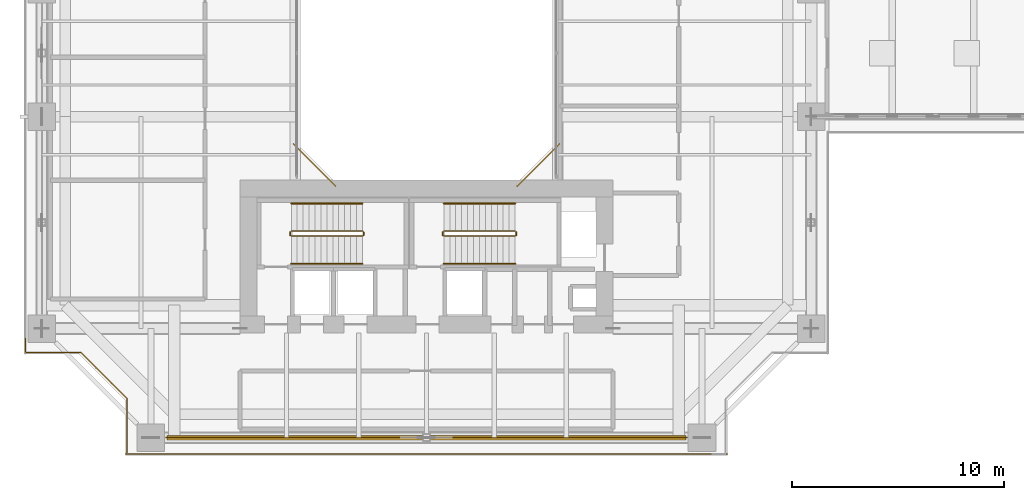
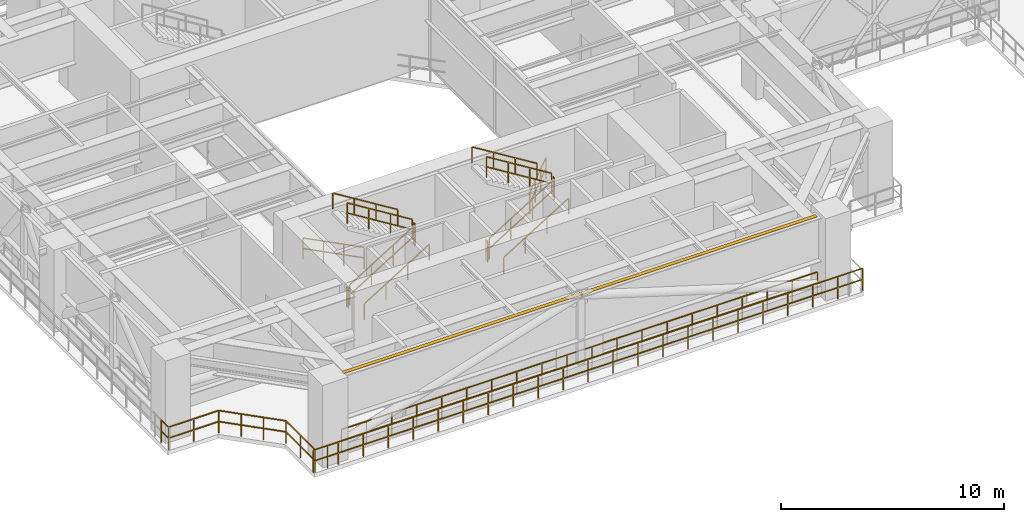
# One storey, part 21 of 25: 17 railings, 1 shading device.
"""IFC4 building model written with IfcOpenShell, lengths in metres."""

from ifc_helpers import new_model, si_unit, direction, frame, origin, origin_2d, place, context, subcontext, project, spatial, rectangle, extrude, source, transform, mapped, material, material_profile, profile_set, type_object, element, save


model = new_model("IFC4")

# Units and contexts
model_context = context("Model", 3, precision=1e-05, world=origin(), true_north=direction((0.0, 1.0)))
body_context = subcontext(model_context, "Body", "Model", "MODEL_VIEW")
ifc_project = project(units=[si_unit("LENGTHUNIT", "METRE"), si_unit("AREAUNIT", "SQUARE_METRE"), si_unit("VOLUMEUNIT", "CUBIC_METRE"), si_unit("PLANEANGLEUNIT", "RADIAN"), si_unit("MASSUNIT", "GRAM", prefix="KILO"), si_unit("THERMODYNAMICTEMPERATUREUNIT", "KELVIN"), si_unit("POWERUNIT", "WATT")], contexts=[model_context])

# Site, building, storey
site_placement = place(None, origin())
site = spatial("IfcSite", under=ifc_project, at=site_placement, CompositionType="ELEMENT")
building_placement = place(site_placement, origin())
building = spatial("IfcBuilding", under=site, at=building_placement, Name="Qiaomeng Ring Towers", CompositionType="ELEMENT")
storey_placement = place(building_placement, frame((0.0, 0.0, 92.5)))
storey = spatial("IfcBuildingStorey", under=building, at=storey_placement, Name="L26", CompositionType="ELEMENT", Elevation=92.5)

# Railings
ifc_material_1 = material(Name="Low-E pale-green laminated safety glass", Category="glass")
railing_type_1 = type_object("IfcRailingType", Name="ARC-RL-BAL1", PredefinedType="BALUSTRADE", material=ifc_material_1)
railing_1_placement = place(storey_placement, frame((23.280029296875, 16.719970703125, 0.0)))
element("IfcRailing", 1, at=railing_1_placement, inside=storey, type_object=railing_type_1, Name="L26 Balustrade ARC-BAL-WELL1-L26-1", PredefinedType="BALUSTRADE", context=body_context, shape_type="SweptSolid", body=[
    extrude(rectangle(XDim=0.048095703125, YDim=0.048095703125, at=origin_2d()), frame((0.0, 0.0, 1.17578125), z_axis=(0.707106781187, 0.707106781187, 0.0), x_axis=(-0.707106781187, 0.707106781187, 0.0)), (0.0, 0.0, 1.0), 2.828369140625),
    extrude(rectangle(XDim=0.048095703125, YDim=0.048095703125, at=origin_2d()), frame((0.0, 0.0, 0.60009765625), z_axis=(0.707106781187, 0.707106781187, 0.0), x_axis=(-0.707106781187, 0.707106781187, 0.0)), (0.0, 0.0, 1.0), 2.828369140625),
    extrude(rectangle(XDim=0.0419921875, YDim=0.0419921875, at=origin_2d()), origin(), (0.0, 0.0, 1.0), 1.15185546875),
    extrude(rectangle(XDim=0.0419921875, YDim=0.0419921875, at=origin_2d()), frame((0.666748046875, 0.666748046875, 0.0)), (0.0, 0.0, 1.0), 1.15185546875),
    extrude(rectangle(XDim=0.0419921875, YDim=0.0419921875, at=origin_2d()), frame((1.333251953125, 1.333251953125, 0.0)), (0.0, 0.0, 1.0), 1.15185546875),
    extrude(rectangle(XDim=0.0419921875, YDim=0.0419921875, at=origin_2d()), frame((2.0, 2.0, 0.0)), (0.0, 0.0, 1.0), 1.15185546875),
])
railing_2_placement = place(storey_placement, frame((12.719970703125, 18.719970703125, 0.0)))
element("IfcRailing", 2, at=railing_2_placement, inside=storey, type_object=railing_type_1, Name="L26 Balustrade ARC-BAL-WELL1-L26-4", PredefinedType="BALUSTRADE", context=body_context, shape_type="SweptSolid", body=[
    extrude(rectangle(XDim=0.048095703125, YDim=0.048095703125, at=origin_2d()), frame((0.0, 0.0, 1.17578125), z_axis=(0.707106781187, -0.707106781187, 0.0), x_axis=(0.707106781187, 0.707106781187, 0.0)), (0.0, 0.0, 1.0), 2.828369140625),
    extrude(rectangle(XDim=0.048095703125, YDim=0.048095703125, at=origin_2d()), frame((0.0, 0.0, 0.60009765625), z_axis=(0.707106781187, -0.707106781187, 0.0), x_axis=(0.707106781187, 0.707106781187, 0.0)), (0.0, 0.0, 1.0), 2.828369140625),
    extrude(rectangle(XDim=0.0419921875, YDim=0.0419921875, at=origin_2d()), origin(), (0.0, 0.0, 1.0), 1.15185546875),
    extrude(rectangle(XDim=0.0419921875, YDim=0.0419921875, at=origin_2d()), frame((0.666748046875, -0.666748046875, 0.0)), (0.0, 0.0, 1.0), 1.15185546875),
    extrude(rectangle(XDim=0.0419921875, YDim=0.0419921875, at=origin_2d()), frame((1.333251953125, -1.333251953125, 0.0)), (0.0, 0.0, 1.0), 1.15185546875),
    extrude(rectangle(XDim=0.0419921875, YDim=0.0419921875, at=origin_2d()), frame((2.0, -2.0, 0.0)), (0.0, 0.0, 1.0), 1.15185546875),
])
ifc_material_2 = material(Name="Stainless steel 316", Category="steel")
railing_type_2 = type_object("IfcRailingType", Name="ARC-RL-BAL2", PredefinedType="BALUSTRADE", material=ifc_material_2)
railing_3_placement = place(storey_placement, frame((6.699951171875, 4.85009765625, 0.0)))
element("IfcRailing", 3, at=railing_3_placement, inside=storey, type_object=railing_type_2, Name="L26 Open Refuge Band Perimeter Guard S", PredefinedType="BALUSTRADE", context=body_context, shape_type="SweptSolid", body=[
    extrude(rectangle(XDim=0.048095703125, YDim=0.048095703125, at=origin_2d()), frame((0.0, 0.0, 1.22607421875), z_axis=(1.0, 0.0, 0.0), x_axis=(0.0, 1.0, 0.0)), (0.0, 0.0, 1.0), 24.60009765625),
    extrude(rectangle(XDim=0.048095703125, YDim=0.048095703125, at=origin_2d()), frame((0.0, 0.0, 0.625), z_axis=(1.0, 0.0, 0.0), x_axis=(0.0, 1.0, 0.0)), (0.0, 0.0, 1.0), 24.60009765625),
    extrude(rectangle(XDim=0.0419921875, YDim=0.0419921875, at=origin_2d()), origin(), (0.0, 0.0, 1.0), 1.201904296875),
    extrude(rectangle(XDim=0.0419921875, YDim=0.0419921875, at=origin_2d()), frame((1.294677734375, 0.0, 0.0)), (0.0, 0.0, 1.0), 1.201904296875),
    extrude(rectangle(XDim=0.0419921875, YDim=0.0419921875, at=origin_2d()), frame((2.589599609375, 0.0, 0.0)), (0.0, 0.0, 1.0), 1.201904296875),
    extrude(rectangle(XDim=0.0419921875, YDim=0.0419921875, at=origin_2d()), frame((3.88427734375, 0.0, 0.0)), (0.0, 0.0, 1.0), 1.201904296875),
    extrude(rectangle(XDim=0.0419921875, YDim=0.0419921875, at=origin_2d()), frame((5.178955078125, 0.0, 0.0)), (0.0, 0.0, 1.0), 1.201904296875),
    extrude(rectangle(XDim=0.0419921875, YDim=0.0419921875, at=origin_2d()), frame((6.4736328125, 0.0, 0.0)), (0.0, 0.0, 1.0), 1.201904296875),
    extrude(rectangle(XDim=0.0419921875, YDim=0.0419921875, at=origin_2d()), frame((7.7685546875, 0.0, 0.0)), (0.0, 0.0, 1.0), 1.201904296875),
    extrude(rectangle(XDim=0.0419921875, YDim=0.0419921875, at=origin_2d()), frame((9.063232421875, 0.0, 0.0)), (0.0, 0.0, 1.0), 1.201904296875),
    extrude(rectangle(XDim=0.0419921875, YDim=0.0419921875, at=origin_2d()), frame((10.35791015625, 0.0, 0.0)), (0.0, 0.0, 1.0), 1.201904296875),
    extrude(rectangle(XDim=0.0419921875, YDim=0.0419921875, at=origin_2d()), frame((11.652587890625, 0.0, 0.0)), (0.0, 0.0, 1.0), 1.201904296875),
    extrude(rectangle(XDim=0.0419921875, YDim=0.0419921875, at=origin_2d()), frame((12.947509765625, 0.0, 0.0)), (0.0, 0.0, 1.0), 1.201904296875),
    extrude(rectangle(XDim=0.0419921875, YDim=0.0419921875, at=origin_2d()), frame((14.2421875, 0.0, 0.0)), (0.0, 0.0, 1.0), 1.201904296875),
    extrude(rectangle(XDim=0.0419921875, YDim=0.0419921875, at=origin_2d()), frame((15.536865234375, 0.0, 0.0)), (0.0, 0.0, 1.0), 1.201904296875),
    extrude(rectangle(XDim=0.0419921875, YDim=0.0419921875, at=origin_2d()), frame((16.83154296875, 0.0, 0.0)), (0.0, 0.0, 1.0), 1.201904296875),
    extrude(rectangle(XDim=0.0419921875, YDim=0.0419921875, at=origin_2d()), frame((18.12646484375, 0.0, 0.0)), (0.0, 0.0, 1.0), 1.201904296875),
    extrude(rectangle(XDim=0.0419921875, YDim=0.0419921875, at=origin_2d()), frame((19.421142578125, 0.0, 0.0)), (0.0, 0.0, 1.0), 1.201904296875),
    extrude(rectangle(XDim=0.0419921875, YDim=0.0419921875, at=origin_2d()), frame((20.7158203125, 0.0, 0.0)), (0.0, 0.0, 1.0), 1.201904296875),
    extrude(rectangle(XDim=0.0419921875, YDim=0.0419921875, at=origin_2d()), frame((22.010498046875, 0.0, 0.0)), (0.0, 0.0, 1.0), 1.201904296875),
    extrude(rectangle(XDim=0.0419921875, YDim=0.0419921875, at=origin_2d()), frame((23.305419921875, 0.0, 0.0)), (0.0, 0.0, 1.0), 1.201904296875),
    extrude(rectangle(XDim=0.0419921875, YDim=0.0419921875, at=origin_2d()), frame((24.60009765625, 0.0, 0.0)), (0.0, 0.0, 1.0), 1.201904296875),
])
railing_4_placement = place(storey_placement, frame((0.080078125, 9.530029296875, 0.0)))
element("IfcRailing", 4, at=railing_4_placement, inside=storey, type_object=railing_type_2, Name="L26 Balustrade ARC-BAL-REF-CNR-L26-SW", PredefinedType="BALUSTRADE", context=body_context, shape_type="SweptSolid", body=[
    extrude(rectangle(XDim=0.048095703125, YDim=0.048095703125, at=origin_2d()), frame((0.0, 0.0, 1.22607421875), z_axis=(0.0, -1.0, 0.0), x_axis=(1.0, 0.0, 0.0)), (0.0, 0.0, 1.0), 0.650146484375),
    extrude(rectangle(XDim=0.048095703125, YDim=0.048095703125, at=origin_2d()), frame((0.0, 0.0, 0.625), z_axis=(0.0, -1.0, 0.0), x_axis=(1.0, 0.0, 0.0)), (0.0, 0.0, 1.0), 0.650146484375),
    extrude(rectangle(XDim=0.048095703125, YDim=0.048095703125, at=origin_2d()), frame((0.0, -0.650146484375, 1.22607421875), z_axis=(1.0, 0.0, 0.0), x_axis=(0.0, 1.0, 0.0)), (0.0, 0.0, 1.0), 2.599853515625),
    extrude(rectangle(XDim=0.048095703125, YDim=0.048095703125, at=origin_2d()), frame((0.0, -0.650146484375, 0.625), z_axis=(1.0, 0.0, 0.0), x_axis=(0.0, 1.0, 0.0)), (0.0, 0.0, 1.0), 2.599853515625),
    extrude(rectangle(XDim=0.048095703125, YDim=0.048095703125, at=origin_2d()), frame((2.599853515625, -0.650146484375, 1.22607421875), z_axis=(0.707106781187, -0.707106781187, 0.0), x_axis=(0.707106781187, 0.707106781187, 0.0)), (0.0, 0.0, 1.0), 3.111083984375),
    extrude(rectangle(XDim=0.048095703125, YDim=0.048095703125, at=origin_2d()), frame((2.599853515625, -0.650146484375, 0.625), z_axis=(0.707106781187, -0.707106781187, 0.0), x_axis=(0.707106781187, 0.707106781187, 0.0)), (0.0, 0.0, 1.0), 3.111083984375),
    extrude(rectangle(XDim=0.048095703125, YDim=0.048095703125, at=origin_2d()), frame((4.7998046875, -2.85009765625, 1.22607421875), z_axis=(0.0, -1.0, 0.0), x_axis=(1.0, 0.0, 0.0)), (0.0, 0.0, 1.0), 2.599853515625),
    extrude(rectangle(XDim=0.048095703125, YDim=0.048095703125, at=origin_2d()), frame((4.7998046875, -2.85009765625, 0.625), z_axis=(0.0, -1.0, 0.0), x_axis=(1.0, 0.0, 0.0)), (0.0, 0.0, 1.0), 2.599853515625),
    extrude(rectangle(XDim=0.048095703125, YDim=0.048095703125, at=origin_2d()), frame((4.7998046875, -5.449951171875, 1.22607421875), z_axis=(1.0, 0.0, 0.0), x_axis=(0.0, 1.0, 0.0)), (0.0, 0.0, 1.0), 0.650146484375),
    extrude(rectangle(XDim=0.048095703125, YDim=0.048095703125, at=origin_2d()), frame((4.7998046875, -5.449951171875, 0.625), z_axis=(1.0, 0.0, 0.0), x_axis=(0.0, 1.0, 0.0)), (0.0, 0.0, 1.0), 0.650146484375),
    extrude(rectangle(XDim=0.0419921875, YDim=0.0419921875, at=origin_2d()), origin(), (0.0, 0.0, 1.0), 1.201904296875),
    extrude(rectangle(XDim=0.0419921875, YDim=0.0419921875, at=origin_2d()), frame((0.0, -0.650146484375, 0.0)), (0.0, 0.0, 1.0), 1.201904296875),
    extrude(rectangle(XDim=0.0419921875, YDim=0.0419921875, at=origin_2d()), frame((1.2998046875, -0.650146484375, 0.0)), (0.0, 0.0, 1.0), 1.201904296875),
    extrude(rectangle(XDim=0.0419921875, YDim=0.0419921875, at=origin_2d()), frame((2.599853515625, -0.650146484375, 0.0)), (0.0, 0.0, 1.0), 1.201904296875),
    extrude(rectangle(XDim=0.0419921875, YDim=0.0419921875, at=origin_2d()), frame((3.333251953125, -1.383544921875, 0.0)), (0.0, 0.0, 1.0), 1.201904296875),
    extrude(rectangle(XDim=0.0419921875, YDim=0.0419921875, at=origin_2d()), frame((4.06640625, -2.11669921875, 0.0)), (0.0, 0.0, 1.0), 1.201904296875),
    extrude(rectangle(XDim=0.0419921875, YDim=0.0419921875, at=origin_2d()), frame((4.7998046875, -2.85009765625, 0.0)), (0.0, 0.0, 1.0), 1.201904296875),
    extrude(rectangle(XDim=0.0419921875, YDim=0.0419921875, at=origin_2d()), frame((4.7998046875, -4.14990234375, 0.0)), (0.0, 0.0, 1.0), 1.201904296875),
    extrude(rectangle(XDim=0.0419921875, YDim=0.0419921875, at=origin_2d()), frame((4.7998046875, -5.449951171875, 0.0)), (0.0, 0.0, 1.0), 1.201904296875),
    extrude(rectangle(XDim=0.0419921875, YDim=0.0419921875, at=origin_2d()), frame((5.449951171875, -5.449951171875, 0.0)), (0.0, 0.0, 1.0), 1.201904296875),
])
railing_5_placement = place(storey_placement, frame((4.800048828125, 4.080078125, 0.0)))
element("IfcRailing", 5, at=railing_5_placement, inside=storey, type_object=railing_type_2, Name="L26 Balustrade ARC-BAL-REF-S-L26", PredefinedType="BALUSTRADE", context=body_context, shape_type="SweptSolid", body=[
    extrude(rectangle(XDim=0.048095703125, YDim=0.048095703125, at=origin_2d()), frame((0.0, 0.0, 1.22607421875), z_axis=(1.0, 0.0, 0.0), x_axis=(0.0, 1.0, 0.0)), (0.0, 0.0, 1.0), 28.39990234375),
    extrude(rectangle(XDim=0.048095703125, YDim=0.048095703125, at=origin_2d()), frame((0.0, 0.0, 0.625), z_axis=(1.0, 0.0, 0.0), x_axis=(0.0, 1.0, 0.0)), (0.0, 0.0, 1.0), 28.39990234375),
    extrude(rectangle(XDim=0.0419921875, YDim=0.0419921875, at=origin_2d()), origin(), (0.0, 0.0, 1.0), 1.201904296875),
    extrude(rectangle(XDim=0.0419921875, YDim=0.0419921875, at=origin_2d()), frame((1.291015625, 0.0, 0.0)), (0.0, 0.0, 1.0), 1.201904296875),
    extrude(rectangle(XDim=0.0419921875, YDim=0.0419921875, at=origin_2d()), frame((2.581787109375, 0.0, 0.0)), (0.0, 0.0, 1.0), 1.201904296875),
    extrude(rectangle(XDim=0.0419921875, YDim=0.0419921875, at=origin_2d()), frame((3.872802734375, 0.0, 0.0)), (0.0, 0.0, 1.0), 1.201904296875),
    extrude(rectangle(XDim=0.0419921875, YDim=0.0419921875, at=origin_2d()), frame((5.16357421875, 0.0, 0.0)), (0.0, 0.0, 1.0), 1.201904296875),
    extrude(rectangle(XDim=0.0419921875, YDim=0.0419921875, at=origin_2d()), frame((6.45458984375, 0.0, 0.0)), (0.0, 0.0, 1.0), 1.201904296875),
    extrude(rectangle(XDim=0.0419921875, YDim=0.0419921875, at=origin_2d()), frame((7.745361328125, 0.0, 0.0)), (0.0, 0.0, 1.0), 1.201904296875),
    extrude(rectangle(XDim=0.0419921875, YDim=0.0419921875, at=origin_2d()), frame((9.036376953125, 0.0, 0.0)), (0.0, 0.0, 1.0), 1.201904296875),
    extrude(rectangle(XDim=0.0419921875, YDim=0.0419921875, at=origin_2d()), frame((10.3271484375, 0.0, 0.0)), (0.0, 0.0, 1.0), 1.201904296875),
    extrude(rectangle(XDim=0.0419921875, YDim=0.0419921875, at=origin_2d()), frame((11.6181640625, 0.0, 0.0)), (0.0, 0.0, 1.0), 1.201904296875),
    extrude(rectangle(XDim=0.0419921875, YDim=0.0419921875, at=origin_2d()), frame((12.908935546875, 0.0, 0.0)), (0.0, 0.0, 1.0), 1.201904296875),
    extrude(rectangle(XDim=0.0419921875, YDim=0.0419921875, at=origin_2d()), frame((14.199951171875, 0.0, 0.0)), (0.0, 0.0, 1.0), 1.201904296875),
    extrude(rectangle(XDim=0.0419921875, YDim=0.0419921875, at=origin_2d()), frame((15.490966796875, 0.0, 0.0)), (0.0, 0.0, 1.0), 1.201904296875),
    extrude(rectangle(XDim=0.0419921875, YDim=0.0419921875, at=origin_2d()), frame((16.78173828125, 0.0, 0.0)), (0.0, 0.0, 1.0), 1.201904296875),
    extrude(rectangle(XDim=0.0419921875, YDim=0.0419921875, at=origin_2d()), frame((18.07275390625, 0.0, 0.0)), (0.0, 0.0, 1.0), 1.201904296875),
    extrude(rectangle(XDim=0.0419921875, YDim=0.0419921875, at=origin_2d()), frame((19.363525390625, 0.0, 0.0)), (0.0, 0.0, 1.0), 1.201904296875),
    extrude(rectangle(XDim=0.0419921875, YDim=0.0419921875, at=origin_2d()), frame((20.654541015625, 0.0, 0.0)), (0.0, 0.0, 1.0), 1.201904296875),
    extrude(rectangle(XDim=0.0419921875, YDim=0.0419921875, at=origin_2d()), frame((21.9453125, 0.0, 0.0)), (0.0, 0.0, 1.0), 1.201904296875),
    extrude(rectangle(XDim=0.0419921875, YDim=0.0419921875, at=origin_2d()), frame((23.236328125, 0.0, 0.0)), (0.0, 0.0, 1.0), 1.201904296875),
    extrude(rectangle(XDim=0.0419921875, YDim=0.0419921875, at=origin_2d()), frame((24.527099609375, 0.0, 0.0)), (0.0, 0.0, 1.0), 1.201904296875),
    extrude(rectangle(XDim=0.0419921875, YDim=0.0419921875, at=origin_2d()), frame((25.818115234375, 0.0, 0.0)), (0.0, 0.0, 1.0), 1.201904296875),
    extrude(rectangle(XDim=0.0419921875, YDim=0.0419921875, at=origin_2d()), frame((27.10888671875, 0.0, 0.0)), (0.0, 0.0, 1.0), 1.201904296875),
    extrude(rectangle(XDim=0.0419921875, YDim=0.0419921875, at=origin_2d()), frame((28.39990234375, 0.0, 0.0)), (0.0, 0.0, 1.0), 1.201904296875),
])
ifc_material_3 = material(Name="Galvanised steel", Category="steel")
railing_type_3 = type_object("IfcRailingType", Name="ARC-RL-GUARD", PredefinedType="GUARDRAIL", material=ifc_material_3)
railing_6_placement = place(storey_placement, frame((12.6201171875, 14.360107421875, 0.173095703125)))
element("IfcRailing", 6, at=railing_6_placement, inside=storey, type_object=railing_type_3, Name="L26 ST3 stair guard 1", PredefinedType="GUARDRAIL", context=body_context, shape_type="SweptSolid", body=[
    extrude(rectangle(XDim=0.048095703125, YDim=0.048095703125, at=origin_2d()), frame((0.0, 0.0, 1.1259765625), z_axis=(0.850606129759, 0.0, 0.525803396734), x_axis=(0.0, 1.0, 0.0)), (0.0, 0.0, 1.0), 3.949951171875),
    extrude(rectangle(XDim=0.048095703125, YDim=0.048095703125, at=origin_2d()), frame((0.0, 0.0, 0.574951171875), z_axis=(0.850606129759, 0.0, 0.525803396734), x_axis=(0.0, 1.0, 0.0)), (0.0, 0.0, 1.0), 3.949951171875),
    extrude(rectangle(XDim=0.0419921875, YDim=0.0419921875, at=origin_2d()), origin(), (0.0, 0.0, 1.0), 1.101806640625),
    extrude(rectangle(XDim=0.0419921875, YDim=0.0419921875, at=origin_2d()), frame((1.119873046875, 0.0, 0.6923828125)), (0.0, 0.0, 1.0), 1.101806640625),
    extrude(rectangle(XDim=0.0419921875, YDim=0.0419921875, at=origin_2d()), frame((2.239990234375, 0.0, 1.384521484375)), (0.0, 0.0, 1.0), 1.101806640625),
    extrude(rectangle(XDim=0.0419921875, YDim=0.0419921875, at=origin_2d()), frame((3.35986328125, 0.0, 2.076904296875)), (0.0, 0.0, 1.0), 1.101806640625),
])
railing_7_placement = place(storey_placement, frame((16.030029296875, 14.409912109375, 2.25)))
element("IfcRailing", 7, at=railing_7_placement, inside=storey, type_object=railing_type_3, Name="L26 ST3 stair guard 2", PredefinedType="GUARDRAIL", context=body_context, shape_type="SweptSolid", body=[
    extrude(rectangle(XDim=0.048095703125, YDim=0.048095703125, at=origin_2d()), frame((0.0, 0.0, 1.1259765625), z_axis=(0.0, 1.0, 0.0), x_axis=(-1.0, 0.0, 0.0)), (0.0, 0.0, 1.0), 0.14013671875),
    extrude(rectangle(XDim=0.048095703125, YDim=0.048095703125, at=origin_2d()), frame((0.0, 0.0, 0.574951171875), z_axis=(0.0, 1.0, 0.0), x_axis=(-1.0, 0.0, 0.0)), (0.0, 0.0, 1.0), 0.14013671875),
    extrude(rectangle(XDim=0.0419921875, YDim=0.0419921875, at=origin_2d()), origin(), (0.0, 0.0, 1.0), 1.101806640625),
    extrude(rectangle(XDim=0.0419921875, YDim=0.0419921875, at=origin_2d()), frame((0.0, 0.14013671875, 0.0)), (0.0, 0.0, 1.0), 1.101806640625),
])
railing_8_placement = place(storey_placement, frame((15.97998046875, 14.60009765625, 2.423095703125)))
element("IfcRailing", 8, at=railing_8_placement, inside=storey, type_object=railing_type_3, Name="L26 ST3 stair guard 3", PredefinedType="GUARDRAIL", context=body_context, shape_type="SweptSolid", body=[
    extrude(rectangle(XDim=0.048095703125, YDim=0.048095703125, at=origin_2d()), frame((0.0, 0.0, 1.1259765625), z_axis=(-0.850606129759, 0.0, 0.525803396734), x_axis=(0.0, -1.0, 0.0)), (0.0, 0.0, 1.0), 3.949951171875),
    extrude(rectangle(XDim=0.048095703125, YDim=0.048095703125, at=origin_2d()), frame((0.0, 0.0, 0.574951171875), z_axis=(-0.850606129759, 0.0, 0.525803396734), x_axis=(0.0, -1.0, 0.0)), (0.0, 0.0, 1.0), 3.949951171875),
    extrude(rectangle(XDim=0.0419921875, YDim=0.0419921875, at=origin_2d()), origin(), (0.0, 0.0, 1.0), 1.101806640625),
    extrude(rectangle(XDim=0.0419921875, YDim=0.0419921875, at=origin_2d()), frame((-1.119873046875, 0.0, 0.6923828125)), (0.0, 0.0, 1.0), 1.101806640625),
    extrude(rectangle(XDim=0.0419921875, YDim=0.0419921875, at=origin_2d()), frame((-2.239990234375, 0.0, 1.384521484375)), (0.0, 0.0, 1.0), 1.101806640625),
    extrude(rectangle(XDim=0.0419921875, YDim=0.0419921875, at=origin_2d()), frame((-3.35986328125, 0.0, 2.076904296875)), (0.0, 0.0, 1.0), 1.101806640625),
])
railing_9_placement = place(storey_placement, frame((12.570068359375, 14.409912109375, 0.0)))
element("IfcRailing", 9, at=railing_9_placement, inside=storey, type_object=railing_type_3, Name="L26 ST3 stair guard 4", PredefinedType="GUARDRAIL", context=body_context, shape_type="SweptSolid", body=[
    extrude(rectangle(XDim=0.048095703125, YDim=0.048095703125, at=origin_2d()), frame((0.0, 0.0, 1.1259765625), z_axis=(0.0, 1.0, 0.0), x_axis=(-1.0, 0.0, 0.0)), (0.0, 0.0, 1.0), 0.14013671875),
    extrude(rectangle(XDim=0.048095703125, YDim=0.048095703125, at=origin_2d()), frame((0.0, 0.0, 0.574951171875), z_axis=(0.0, 1.0, 0.0), x_axis=(-1.0, 0.0, 0.0)), (0.0, 0.0, 1.0), 0.14013671875),
    extrude(rectangle(XDim=0.0419921875, YDim=0.0419921875, at=origin_2d()), origin(), (0.0, 0.0, 1.0), 1.101806640625),
    extrude(rectangle(XDim=0.0419921875, YDim=0.0419921875, at=origin_2d()), frame((0.0, 0.14013671875, 0.0)), (0.0, 0.0, 1.0), 1.101806640625),
])
railing_10_placement = place(storey_placement, frame((19.820068359375, 14.360107421875, 0.173095703125)))
element("IfcRailing", 10, at=railing_10_placement, inside=storey, type_object=railing_type_3, Name="L26 ST4 stair guard 1", PredefinedType="GUARDRAIL", context=body_context, shape_type="SweptSolid", body=[
    extrude(rectangle(XDim=0.048095703125, YDim=0.048095703125, at=origin_2d()), frame((0.0, 0.0, 1.1259765625), z_axis=(0.850606129759, 0.0, 0.525803396734), x_axis=(0.0, 1.0, 0.0)), (0.0, 0.0, 1.0), 3.949951171875),
    extrude(rectangle(XDim=0.048095703125, YDim=0.048095703125, at=origin_2d()), frame((0.0, 0.0, 0.574951171875), z_axis=(0.850606129759, 0.0, 0.525803396734), x_axis=(0.0, 1.0, 0.0)), (0.0, 0.0, 1.0), 3.949951171875),
    extrude(rectangle(XDim=0.0419921875, YDim=0.0419921875, at=origin_2d()), origin(), (0.0, 0.0, 1.0), 1.101806640625),
    extrude(rectangle(XDim=0.0419921875, YDim=0.0419921875, at=origin_2d()), frame((1.119873046875, 0.0, 0.6923828125)), (0.0, 0.0, 1.0), 1.101806640625),
    extrude(rectangle(XDim=0.0419921875, YDim=0.0419921875, at=origin_2d()), frame((2.239990234375, 0.0, 1.384521484375)), (0.0, 0.0, 1.0), 1.101806640625),
    extrude(rectangle(XDim=0.0419921875, YDim=0.0419921875, at=origin_2d()), frame((3.35986328125, 0.0, 2.076904296875)), (0.0, 0.0, 1.0), 1.101806640625),
])
railing_11_placement = place(storey_placement, frame((23.22998046875, 14.409912109375, 2.25)))
element("IfcRailing", 11, at=railing_11_placement, inside=storey, type_object=railing_type_3, Name="L26 ST4 stair guard 2", PredefinedType="GUARDRAIL", context=body_context, shape_type="SweptSolid", body=[
    extrude(rectangle(XDim=0.048095703125, YDim=0.048095703125, at=origin_2d()), frame((0.0, 0.0, 1.1259765625), z_axis=(0.0, 1.0, 0.0), x_axis=(-1.0, 0.0, 0.0)), (0.0, 0.0, 1.0), 0.14013671875),
    extrude(rectangle(XDim=0.048095703125, YDim=0.048095703125, at=origin_2d()), frame((0.0, 0.0, 0.574951171875), z_axis=(0.0, 1.0, 0.0), x_axis=(-1.0, 0.0, 0.0)), (0.0, 0.0, 1.0), 0.14013671875),
    extrude(rectangle(XDim=0.0419921875, YDim=0.0419921875, at=origin_2d()), origin(), (0.0, 0.0, 1.0), 1.101806640625),
    extrude(rectangle(XDim=0.0419921875, YDim=0.0419921875, at=origin_2d()), frame((0.0, 0.14013671875, 0.0)), (0.0, 0.0, 1.0), 1.101806640625),
])
railing_12_placement = place(storey_placement, frame((23.179931640625, 14.60009765625, 2.423095703125)))
element("IfcRailing", 12, at=railing_12_placement, inside=storey, type_object=railing_type_3, Name="L26 ST4 stair guard 3", PredefinedType="GUARDRAIL", context=body_context, shape_type="SweptSolid", body=[
    extrude(rectangle(XDim=0.048095703125, YDim=0.048095703125, at=origin_2d()), frame((0.0, 0.0, 1.1259765625), z_axis=(-0.850606129759, 0.0, 0.525803396734), x_axis=(0.0, -1.0, 0.0)), (0.0, 0.0, 1.0), 3.949951171875),
    extrude(rectangle(XDim=0.048095703125, YDim=0.048095703125, at=origin_2d()), frame((0.0, 0.0, 0.574951171875), z_axis=(-0.850606129759, 0.0, 0.525803396734), x_axis=(0.0, -1.0, 0.0)), (0.0, 0.0, 1.0), 3.949951171875),
    extrude(rectangle(XDim=0.0419921875, YDim=0.0419921875, at=origin_2d()), origin(), (0.0, 0.0, 1.0), 1.101806640625),
    extrude(rectangle(XDim=0.0419921875, YDim=0.0419921875, at=origin_2d()), frame((-1.119873046875, 0.0, 0.6923828125)), (0.0, 0.0, 1.0), 1.101806640625),
    extrude(rectangle(XDim=0.0419921875, YDim=0.0419921875, at=origin_2d()), frame((-2.239990234375, 0.0, 1.384521484375)), (0.0, 0.0, 1.0), 1.101806640625),
    extrude(rectangle(XDim=0.0419921875, YDim=0.0419921875, at=origin_2d()), frame((-3.35986328125, 0.0, 2.076904296875)), (0.0, 0.0, 1.0), 1.101806640625),
])
railing_13_placement = place(storey_placement, frame((19.77001953125, 14.409912109375, 0.0)))
element("IfcRailing", 13, at=railing_13_placement, inside=storey, type_object=railing_type_3, Name="L26 ST4 stair guard 4", PredefinedType="GUARDRAIL", context=body_context, shape_type="SweptSolid", body=[
    extrude(rectangle(XDim=0.048095703125, YDim=0.048095703125, at=origin_2d()), frame((0.0, 0.0, 1.1259765625), z_axis=(0.0, 1.0, 0.0), x_axis=(-1.0, 0.0, 0.0)), (0.0, 0.0, 1.0), 0.14013671875),
    extrude(rectangle(XDim=0.048095703125, YDim=0.048095703125, at=origin_2d()), frame((0.0, 0.0, 0.574951171875), z_axis=(0.0, 1.0, 0.0), x_axis=(-1.0, 0.0, 0.0)), (0.0, 0.0, 1.0), 0.14013671875),
    extrude(rectangle(XDim=0.0419921875, YDim=0.0419921875, at=origin_2d()), origin(), (0.0, 0.0, 1.0), 1.101806640625),
    extrude(rectangle(XDim=0.0419921875, YDim=0.0419921875, at=origin_2d()), frame((0.0, 0.14013671875, 0.0)), (0.0, 0.0, 1.0), 1.101806640625),
])
railing_type_4 = type_object("IfcRailingType", Name="ARC-RL-HAND", PredefinedType="HANDRAIL", material=ifc_material_2)
railing_14_placement = place(storey_placement, frame((12.6201171875, 13.06005859375, 0.173095703125)))
element("IfcRailing", 14, at=railing_14_placement, inside=storey, type_object=railing_type_4, Name="L26 ST3 stair handrail 1", PredefinedType="HANDRAIL", context=body_context, shape_type="SweptSolid", body=[
    extrude(rectangle(XDim=0.048095703125, YDim=0.048095703125, at=origin_2d()), frame((0.0, 0.0, 0.8759765625), z_axis=(0.850606129759, 0.0, 0.525803396734), x_axis=(0.0, 1.0, 0.0)), (0.0, 0.0, 1.0), 3.949951171875),
    extrude(rectangle(XDim=0.0419921875, YDim=0.0419921875, at=origin_2d()), origin(), (0.0, 0.0, 1.0), 0.851806640625),
    extrude(rectangle(XDim=0.0419921875, YDim=0.0419921875, at=origin_2d()), frame((1.119873046875, 0.0, 0.6923828125)), (0.0, 0.0, 1.0), 0.851806640625),
    extrude(rectangle(XDim=0.0419921875, YDim=0.0419921875, at=origin_2d()), frame((2.239990234375, 0.0, 1.384521484375)), (0.0, 0.0, 1.0), 0.851806640625),
    extrude(rectangle(XDim=0.0419921875, YDim=0.0419921875, at=origin_2d()), frame((3.35986328125, 0.0, 2.076904296875)), (0.0, 0.0, 1.0), 0.851806640625),
])
railing_15_placement = place(storey_placement, frame((15.97998046875, 15.89990234375, 2.423095703125)))
element("IfcRailing", 15, at=railing_15_placement, inside=storey, type_object=railing_type_4, Name="L26 ST3 stair handrail 2", PredefinedType="HANDRAIL", context=body_context, shape_type="SweptSolid", body=[
    extrude(rectangle(XDim=0.048095703125, YDim=0.048095703125, at=origin_2d()), frame((0.0, 0.0, 0.8759765625), z_axis=(-0.850606129759, 0.0, 0.525803396734), x_axis=(0.0, -1.0, 0.0)), (0.0, 0.0, 1.0), 3.949951171875),
    extrude(rectangle(XDim=0.0419921875, YDim=0.0419921875, at=origin_2d()), origin(), (0.0, 0.0, 1.0), 0.851806640625),
    extrude(rectangle(XDim=0.0419921875, YDim=0.0419921875, at=origin_2d()), frame((-1.119873046875, 0.0, 0.6923828125)), (0.0, 0.0, 1.0), 0.851806640625),
    extrude(rectangle(XDim=0.0419921875, YDim=0.0419921875, at=origin_2d()), frame((-2.239990234375, 0.0, 1.384521484375)), (0.0, 0.0, 1.0), 0.851806640625),
    extrude(rectangle(XDim=0.0419921875, YDim=0.0419921875, at=origin_2d()), frame((-3.35986328125, 0.0, 2.076904296875)), (0.0, 0.0, 1.0), 0.851806640625),
])
railing_16_placement = place(storey_placement, frame((19.820068359375, 13.06005859375, 0.173095703125)))
element("IfcRailing", 16, at=railing_16_placement, inside=storey, type_object=railing_type_4, Name="L26 ST4 stair handrail 1", PredefinedType="HANDRAIL", context=body_context, shape_type="SweptSolid", body=[
    extrude(rectangle(XDim=0.048095703125, YDim=0.048095703125, at=origin_2d()), frame((0.0, 0.0, 0.8759765625), z_axis=(0.850606129759, 0.0, 0.525803396734), x_axis=(0.0, 1.0, 0.0)), (0.0, 0.0, 1.0), 3.949951171875),
    extrude(rectangle(XDim=0.0419921875, YDim=0.0419921875, at=origin_2d()), origin(), (0.0, 0.0, 1.0), 0.851806640625),
    extrude(rectangle(XDim=0.0419921875, YDim=0.0419921875, at=origin_2d()), frame((1.119873046875, 0.0, 0.6923828125)), (0.0, 0.0, 1.0), 0.851806640625),
    extrude(rectangle(XDim=0.0419921875, YDim=0.0419921875, at=origin_2d()), frame((2.239990234375, 0.0, 1.384521484375)), (0.0, 0.0, 1.0), 0.851806640625),
    extrude(rectangle(XDim=0.0419921875, YDim=0.0419921875, at=origin_2d()), frame((3.35986328125, 0.0, 2.076904296875)), (0.0, 0.0, 1.0), 0.851806640625),
])
railing_17_placement = place(storey_placement, frame((23.179931640625, 15.89990234375, 2.423095703125)))
element("IfcRailing", 17, at=railing_17_placement, inside=storey, type_object=railing_type_4, Name="L26 ST4 stair handrail 2", PredefinedType="HANDRAIL", context=body_context, shape_type="SweptSolid", body=[
    extrude(rectangle(XDim=0.048095703125, YDim=0.048095703125, at=origin_2d()), frame((0.0, 0.0, 0.8759765625), z_axis=(-0.850606129759, 0.0, 0.525803396734), x_axis=(0.0, -1.0, 0.0)), (0.0, 0.0, 1.0), 3.949951171875),
    extrude(rectangle(XDim=0.0419921875, YDim=0.0419921875, at=origin_2d()), origin(), (0.0, 0.0, 1.0), 0.851806640625),
    extrude(rectangle(XDim=0.0419921875, YDim=0.0419921875, at=origin_2d()), frame((-1.119873046875, 0.0, 0.6923828125)), (0.0, 0.0, 1.0), 0.851806640625),
    extrude(rectangle(XDim=0.0419921875, YDim=0.0419921875, at=origin_2d()), frame((-2.239990234375, 0.0, 1.384521484375)), (0.0, 0.0, 1.0), 0.851806640625),
    extrude(rectangle(XDim=0.0419921875, YDim=0.0419921875, at=origin_2d()), frame((-3.35986328125, 0.0, 2.076904296875)), (0.0, 0.0, 1.0), 0.851806640625),
])

# Shading device
ifc_material_profile = material_profile(ifc_material_2, rectangle(XDim=0.199951171875, YDim=0.0400390625, at=origin_2d()), Name="LV BLADE 200x40")
ifc_profile_set = profile_set([ifc_material_profile], Name="Stainless steel 316")
shading_device_type = type_object("IfcShadingDeviceType", Name="ARC-SHD-LOUVRE", PredefinedType="JALOUSIE", material=ifc_profile_set)
shared_shape = source(origin(), body_context, "Body", "SweptSolid", [
    extrude(rectangle(XDim=0.199951171875, YDim=0.0400390625, at=origin_2d()), origin(), (0.0, 0.0, 1.0), 24.5),
])
shading_device_placement = place(storey_placement, frame((6.75, 4.85009765625, 4.300048828125), z_axis=(1.0, 0.0, 0.0), x_axis=(0.0, 1.0, 0.0)))
element("IfcShadingDevice", 18, at=shading_device_placement, inside=storey, type_object=shading_device_type, Name="L26 Stainless Acoustic Intake Louvre S", PredefinedType="JALOUSIE", context=body_context, shape_type="MappedRepresentation", body=[
    mapped(shared_shape, transform((0.0, 0.0, 0.0), x_axis=(1.0, 0.0, 0.0), y_axis=(0.0, 1.0, 0.0), z_axis=(0.0, 0.0, 1.0), scale=1.0)),
])

save(model, "model.ifc")
